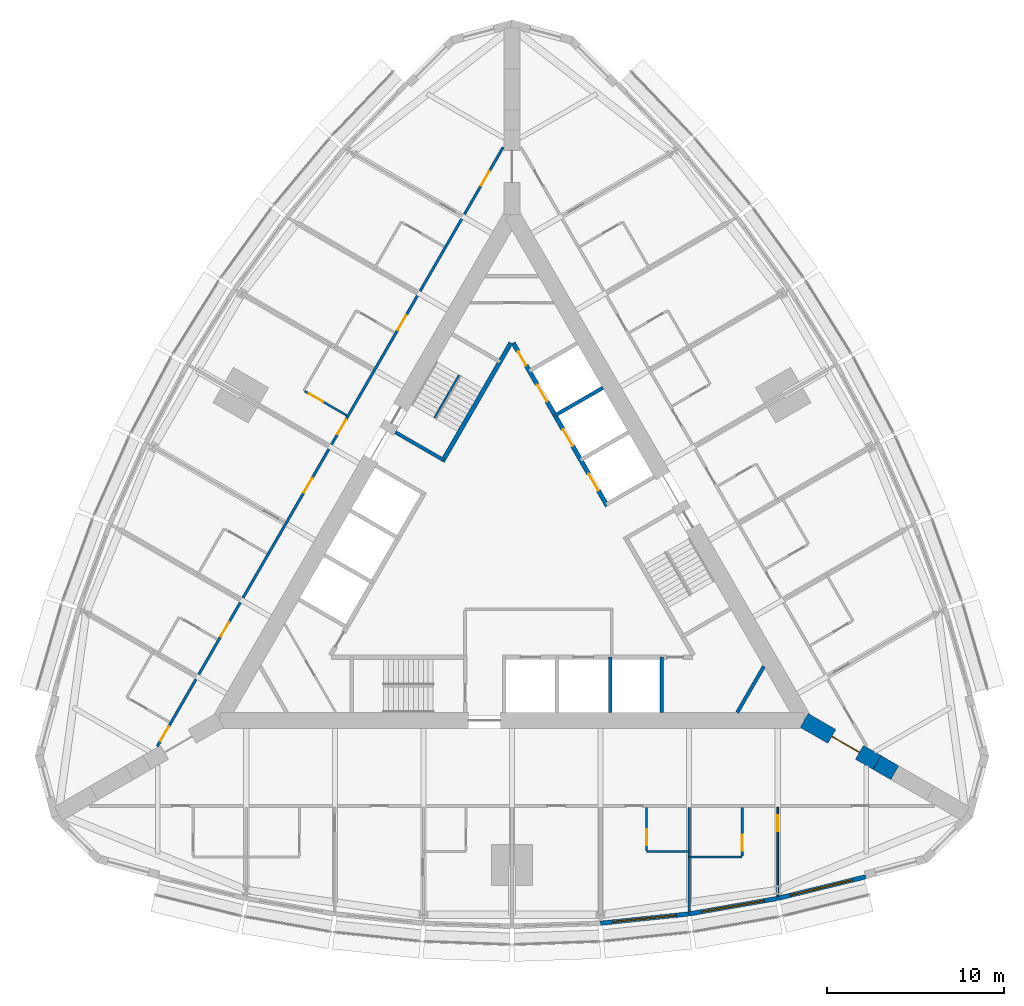
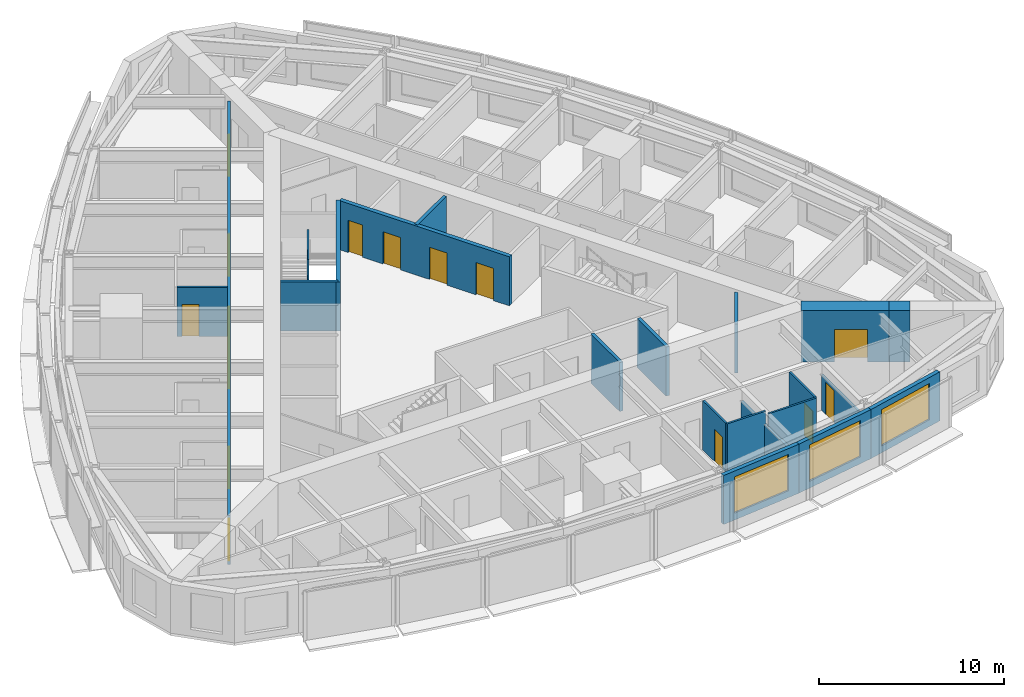
# One storey, part 10 of 14: 21 walls, 15 doors, 3 windows, 18 openings.
"""IFC4 building model written with IfcOpenShell, lengths in metres."""

from ifc_helpers import new_model, si_unit, direction, frame, frame_2d, origin, place, context, subcontext, project, spatial, rectangle, extrude, material, layer, layer_set, type_object, element, fill, save


model = new_model("IFC4")

# Units and contexts
model_context = context("Model", 3, precision=1e-05, world=origin(), true_north=direction((0.0, 1.0)))
body_context = subcontext(model_context, "Body", "Model", "MODEL_VIEW")
ifc_project = project(units=[si_unit("LENGTHUNIT", "METRE"), si_unit("AREAUNIT", "SQUARE_METRE"), si_unit("VOLUMEUNIT", "CUBIC_METRE"), si_unit("PLANEANGLEUNIT", "RADIAN"), si_unit("MASSUNIT", "GRAM", prefix="KILO")], contexts=[model_context])

# Site, building, storey
site_placement = place(None, origin())
site = spatial("IfcSite", under=ifc_project, at=site_placement, CompositionType="ELEMENT")
building_placement = place(site_placement, origin())
building = spatial("IfcBuilding", under=site, at=building_placement, Name="Trikona Tower", CompositionType="ELEMENT")
storey_placement = place(building_placement, frame((0.0, 0.0, 138.5)))
storey = spatial("IfcBuildingStorey", under=building, at=storey_placement, Name="L36", CompositionType="ELEMENT", Elevation=138.5)

# Wall
ifc_material_1 = material(Name="Metal stud and cement board", Category="gypsum")
ifc_layer_1 = layer(ifc_material_1, 0.1201171875)
ifc_layer_set_1 = layer_set([ifc_layer_1], Name="Bathroom wall 120")
wall_type_1 = type_object("IfcWallType", Name="Bathroom wall 120", PredefinedType="PLUMBINGWALL", material=ifc_layer_set_1)
wall_1_placement = place(storey_placement, frame((7.60009765625, -16.92626953125, 0.0), z_axis=(0.0, 0.0, 1.0), x_axis=(1.0, 0.0, 0.0)))
element("IfcWall", 1, at=wall_1_placement, inside=storey, type_object=wall_type_1, Name="Bathroom wall 3603", PredefinedType="PLUMBINGWALL", context=body_context, shape_type="SweptSolid", body=[
    extrude(rectangle(XDim=2.39990234375, YDim=0.1201171875, at=frame_2d((1.199951171875, 0.0))), origin(), (0.0, 0.0, 1.0), 3.235107421875),
])

# Wall, opening, door
wall_2_placement = place(storey_placement, frame((7.60009765625, -14.42626953125, 0.0), z_axis=(0.0, 0.0, 1.0), x_axis=(0.0, -1.0, 0.0)))
wall_2 = element("IfcWall", 2, at=wall_2_placement, inside=storey, type_object=wall_type_1, Name="Bathroom wall 3603", PredefinedType="PLUMBINGWALL", context=body_context, shape_type="SweptSolid", body=[
    extrude(rectangle(XDim=2.43994140625, YDim=0.1201171875, at=frame_2d((1.219970703125, 0.0))), origin(), (0.0, 0.0, 1.0), 3.235107421875),
])
opening_1_placement = place(wall_2_placement, frame((1.25, 0.0, 0.0)))
opening_1 = element("IfcOpeningElement", 3, at=opening_1_placement, cuts=wall_2, Name="Opening D2", PredefinedType="OPENING", context=body_context, shape_type="SweptSolid", body=[
    extrude(rectangle(XDim=0.89990234375, YDim=2.1298828125, at=frame_2d((0.449951171875, 1.06494140625))), frame((0.0, 0.070068359375, 0.0), z_axis=(0.0, -1.0, 0.0), x_axis=(1.0, 0.0, 0.0)), (0.0, 0.0, 1.0), 0.14013671875),
])
ifc_material_2 = material(Name="Steel door frame with solid-core timber leaf", Category="steel")
door_type_1 = type_object("IfcDoorType", Name="Bathroom door 900x2130", OperationType="SLIDING_TO_LEFT", PredefinedType="DOOR", material=ifc_material_2)
door_1_placement = place(opening_1_placement, origin())
door_1 = element("IfcDoor", 4, at=door_1_placement, inside=storey, type_object=door_type_1, Name="Bathroom door 3603", OperationType="SLIDING_TO_LEFT", OverallHeight=2.1298828125, OverallWidth=0.89990234375, PredefinedType="DOOR", context=body_context, shape_type="SweptSolid", body=[
    extrude(rectangle(XDim=0.89990234375, YDim=2.1298828125, at=frame_2d((0.449951171875, 1.06494140625))), frame((0.0, 0.02490234375, 0.0), z_axis=(0.0, -1.0, 0.0), x_axis=(1.0, 0.0, 0.0)), (0.0, 0.0, 1.0), 0.050048828125),
])
fill(opening_1, door_1)

# Wall
wall_3_placement = place(storey_placement, frame((10.0, -17.226318359375, 0.0), z_axis=(0.0, 0.0, 1.0), x_axis=(1.0, 0.0, 0.0)))
element("IfcWall", 5, at=wall_3_placement, inside=storey, type_object=wall_type_1, Name="Bathroom wall 3604.1", PredefinedType="PLUMBINGWALL", context=body_context, shape_type="SweptSolid", body=[
    extrude(rectangle(XDim=3.0, YDim=0.1201171875, at=frame_2d((1.5, 0.0))), origin(), (0.0, 0.0, 1.0), 3.235107421875),
])

# Wall, opening, door
wall_4_placement = place(storey_placement, frame((13.0, -14.42626953125, 0.0), z_axis=(0.0, 0.0, 1.0), x_axis=(0.0, -1.0, 0.0)))
wall_4 = element("IfcWall", 6, at=wall_4_placement, inside=storey, type_object=wall_type_1, Name="Bathroom wall 3604.1", PredefinedType="PLUMBINGWALL", context=body_context, shape_type="SweptSolid", body=[
    extrude(rectangle(XDim=2.739990234375, YDim=0.1201171875, at=frame_2d((1.3701171875, 0.0))), origin(), (0.0, 0.0, 1.0), 3.235107421875),
])
opening_2_placement = place(wall_4_placement, frame((1.550048828125, 0.0, 0.0)))
opening_2 = element("IfcOpeningElement", 7, at=opening_2_placement, cuts=wall_4, Name="Opening D2", PredefinedType="OPENING", context=body_context, shape_type="SweptSolid", body=[
    extrude(rectangle(XDim=0.89990234375, YDim=2.1298828125, at=frame_2d((0.449951171875, 1.06494140625))), frame((0.0, 0.070068359375, 0.0), z_axis=(0.0, -1.0, 0.0), x_axis=(1.0, 0.0, 0.0)), (0.0, 0.0, 1.0), 0.14013671875),
])
door_2_placement = place(opening_2_placement, origin())
door_2 = element("IfcDoor", 8, at=door_2_placement, inside=storey, type_object=door_type_1, Name="Bathroom door 3604.1", OperationType="SLIDING_TO_LEFT", OverallHeight=2.1298828125, OverallWidth=0.89990234375, PredefinedType="DOOR", context=body_context, shape_type="SweptSolid", body=[
    extrude(rectangle(XDim=0.89990234375, YDim=2.1298828125, at=frame_2d((0.449951171875, 1.06494140625))), frame((0.0, 0.02490234375, 0.0), z_axis=(0.0, -1.0, 0.0), x_axis=(1.0, 0.0, 0.0)), (0.0, 0.0, 1.0), 0.050048828125),
])
fill(opening_2, door_2)

wall_5_placement = place(storey_placement, frame((-9.32861328125, 7.6953125, 0.0), z_axis=(0.0, 0.0, 1.0), x_axis=(-0.866035715982, 0.499982138324, 0.0)))
wall_5 = element("IfcWall", 9, at=wall_5_placement, inside=storey, type_object=wall_type_1, Name="Bathroom wall 3613", PredefinedType="PLUMBINGWALL", context=body_context, shape_type="SweptSolid", body=[
    extrude(rectangle(XDim=2.73974609375, YDim=0.1201171875, at=frame_2d((1.369873046875, 0.0))), origin(), (0.0, 0.0, 1.0), 3.235107421875),
])
opening_3_placement = place(wall_5_placement, frame((1.550048828125, 0.0, 0.0)))
opening_3 = element("IfcOpeningElement", 10, at=opening_3_placement, cuts=wall_5, Name="Opening D2", PredefinedType="OPENING", context=body_context, shape_type="SweptSolid", body=[
    extrude(rectangle(XDim=0.89990234375, YDim=2.1298828125, at=frame_2d((0.449951171875, 1.06494140625))), frame((0.0, 0.070068359375, 0.0), z_axis=(0.0, -1.0, 0.0), x_axis=(1.0, 0.0, 0.0)), (0.0, 0.0, 1.0), 0.14013671875),
])
door_3_placement = place(opening_3_placement, origin())
door_3 = element("IfcDoor", 11, at=door_3_placement, inside=storey, type_object=door_type_1, Name="Bathroom door 3613", OperationType="SLIDING_TO_LEFT", OverallHeight=2.1298828125, OverallWidth=0.89990234375, PredefinedType="DOOR", context=body_context, shape_type="SweptSolid", body=[
    extrude(rectangle(XDim=0.89990234375, YDim=2.1298828125, at=frame_2d((0.449951171875, 1.06494140625))), frame((0.0, 0.02490234375, 0.0), z_axis=(0.0, -1.0, 0.0), x_axis=(1.0, 0.0, 0.0)), (0.0, 0.0, 1.0), 0.050048828125),
])
fill(opening_3, door_3)

ifc_material_3 = material(Name="Concrete f'c 10000 psi", Category="concrete")
ifc_layer_2 = layer(ifc_material_3, 0.89990234375)
ifc_layer_set_2 = layer_set([ifc_layer_2], Name="Buttress wall 900")
wall_type_2 = type_object("IfcWallType", Name="Buttress wall 900", PredefinedType="SHEAR", material=ifc_layer_set_2)
wall_6_placement = place(storey_placement, frame((16.5, -9.5263671875, 0.0), z_axis=(0.0, 0.0, 1.0), x_axis=(0.866031398331, -0.499989616998, 0.0)))
wall_6 = element("IfcWall", 12, at=wall_6_placement, inside=storey, type_object=wall_type_2, Name="Buttress wall 1", PredefinedType="SHEAR", context=body_context, shape_type="SweptSolid", body=[
    extrude(rectangle(XDim=4.74609375, YDim=0.89990234375, at=frame_2d((2.373046875, 0.0))), origin(), (0.0, 0.0, 1.0), 3.39990234375),
])
opening_4_placement = place(wall_6_placement, frame((1.800048828125, 0.0, 0.0)))
opening_4 = element("IfcOpeningElement", 13, at=opening_4_placement, cuts=wall_6, Name="Opening D10", PredefinedType="OPENING", context=body_context, shape_type="SweptSolid", body=[
    extrude(rectangle(XDim=1.800048828125, YDim=2.1298828125, at=frame_2d((0.89990234375, 1.06494140625))), frame((0.0, 0.4599609375, 0.0), z_axis=(0.0, -1.0, 0.0), x_axis=(1.0, 0.0, 0.0)), (0.0, 0.0, 1.0), 0.919921875),
])
ifc_material_4 = material(Name="Hollow metal door and frame", Category="steel")
door_type_2 = type_object("IfcDoorType", Name="Cross-corridor door pair 1800x2130", OperationType="DOUBLE_DOOR_DOUBLE_SWING", PredefinedType="DOOR", material=ifc_material_4)
door_4_placement = place(opening_4_placement, origin())
door_4 = element("IfcDoor", 14, at=door_4_placement, inside=storey, type_object=door_type_2, Name="Cross-corridor door 1", OperationType="DOUBLE_DOOR_DOUBLE_SWING", OverallHeight=2.1298828125, OverallWidth=1.800048828125, PredefinedType="DOOR", context=body_context, shape_type="SweptSolid", body=[
    extrude(rectangle(XDim=1.800048828125, YDim=2.1298828125, at=frame_2d((0.89990234375, 1.06494140625))), frame((0.0, 0.02490234375, 0.0), z_axis=(0.0, -1.0, 0.0), x_axis=(1.0, 0.0, 0.0)), (0.0, 0.0, 1.0), 0.050048828125),
])
fill(opening_4, door_4)

# Wall
wall_7_placement = place(storey_placement, frame((20.6103515625, -11.8994140625, 0.0), z_axis=(0.0, 0.0, 1.0), x_axis=(0.866009537788, -0.500027479704, 0.0)))
element("IfcWall", 15, at=wall_7_placement, inside=storey, type_object=wall_type_2, Name="Buttress wall 1 part 2", PredefinedType="SHEAR", context=body_context, shape_type="SweptSolid", body=[
    extrude(rectangle(XDim=1.15478515625, YDim=0.89990234375, at=frame_2d((0.577392578125, 0.0))), origin(), (0.0, 0.0, 1.0), 3.39990234375),
])

# Wall, openings, doors
ifc_material_5 = material(Name="Metal stud and gypsum board, 1-hour", Category="gypsum")
ifc_layer_3 = layer(ifc_material_5, 0.14990234375)
ifc_layer_set_3 = layer_set([ifc_layer_3], Name="Corridor wall 150")
wall_type_3 = type_object("IfcWallType", Name="Corridor wall 150", PredefinedType="PARTITIONING", material=ifc_layer_set_3)
wall_8_placement = place(storey_placement, frame((-0.5, 22.83642578125, 0.0), z_axis=(0.0, 0.0, 1.0), x_axis=(-0.500001677587, -0.866024435227, 0.0)))
wall_8 = element("IfcWall", 16, at=wall_8_placement, inside=storey, type_object=wall_type_3, Name="Corridor wall L36-3", PredefinedType="PARTITIONING", context=body_context, shape_type="SweptSolid", body=[
    extrude(rectangle(XDim=39.053955078125, YDim=0.14990234375, at=frame_2d((19.52685546875, 0.0))), origin(), (0.0, 0.0, 1.0), 3.235107421875),
])
opening_5_placement = place(wall_8_placement, frame((1.558349609375, 0.0, 0.0)))
opening_5 = element("IfcOpeningElement", 17, at=opening_5_placement, cuts=wall_8, Name="Opening D1", PredefinedType="OPENING", context=body_context, shape_type="SweptSolid", body=[
    extrude(rectangle(XDim=0.949951171875, YDim=2.1298828125, at=frame_2d((0.47509765625, 1.06494140625))), frame((0.0, 0.0849609375, 0.0), z_axis=(0.0, -1.0, 0.0), x_axis=(1.0, 0.0, 0.0)), (0.0, 0.0, 1.0), 0.169921875),
])
opening_6_placement = place(wall_8_placement, frame((10.951904296875, 0.0, 0.0)))
opening_6 = element("IfcOpeningElement", 18, at=opening_6_placement, cuts=wall_8, Name="Opening D1", PredefinedType="OPENING", context=body_context, shape_type="SweptSolid", body=[
    extrude(rectangle(XDim=0.949951171875, YDim=2.1298828125, at=frame_2d((0.47509765625, 1.06494140625))), frame((0.0, 0.0849609375, 0.0), z_axis=(0.0, -1.0, 0.0), x_axis=(1.0, 0.0, 0.0)), (0.0, 0.0, 1.0), 0.169921875),
])
opening_7_placement = place(wall_8_placement, frame((17.751953125, 0.0, 0.0)))
opening_7 = element("IfcOpeningElement", 19, at=opening_7_placement, cuts=wall_8, Name="Opening D1", PredefinedType="OPENING", context=body_context, shape_type="SweptSolid", body=[
    extrude(rectangle(XDim=0.949951171875, YDim=2.1298828125, at=frame_2d((0.47509765625, 1.06494140625))), frame((0.0, 0.0849609375, 0.0), z_axis=(0.0, -1.0, 0.0), x_axis=(1.0, 0.0, 0.0)), (0.0, 0.0, 1.0), 0.169921875),
])
opening_8_placement = place(wall_8_placement, frame((21.552001953125, 0.0, 0.0)))
opening_8 = element("IfcOpeningElement", 20, at=opening_8_placement, cuts=wall_8, Name="Opening D1", PredefinedType="OPENING", context=body_context, shape_type="SweptSolid", body=[
    extrude(rectangle(XDim=0.949951171875, YDim=2.1298828125, at=frame_2d((0.47509765625, 1.06494140625))), frame((0.0, 0.0849609375, 0.0), z_axis=(0.0, -1.0, 0.0), x_axis=(1.0, 0.0, 0.0)), (0.0, 0.0, 1.0), 0.169921875),
])
opening_9_placement = place(wall_8_placement, frame((30.951904296875, 0.0, 0.0)))
opening_9 = element("IfcOpeningElement", 21, at=opening_9_placement, cuts=wall_8, Name="Opening D1", PredefinedType="OPENING", context=body_context, shape_type="SweptSolid", body=[
    extrude(rectangle(XDim=0.949951171875, YDim=2.1298828125, at=frame_2d((0.47509765625, 1.06494140625))), frame((0.0, 0.0849609375, 0.0), z_axis=(0.0, -1.0, 0.0), x_axis=(1.0, 0.0, 0.0)), (0.0, 0.0, 1.0), 0.169921875),
])
opening_10_placement = place(wall_8_placement, frame((37.751953125, 0.0, 0.0)))
opening_10 = element("IfcOpeningElement", 22, at=opening_10_placement, cuts=wall_8, Name="Opening D1", PredefinedType="OPENING", context=body_context, shape_type="SweptSolid", body=[
    extrude(rectangle(XDim=0.949951171875, YDim=2.1298828125, at=frame_2d((0.47509765625, 1.06494140625))), frame((0.0, 0.0849609375, 0.0), z_axis=(0.0, -1.0, 0.0), x_axis=(1.0, 0.0, 0.0)), (0.0, 0.0, 1.0), 0.169921875),
])
ifc_material_6 = material(Name="Steel door frame with solid-core timber leaf", Category="steel")
door_type_3 = type_object("IfcDoorType", Name="Guest room door 950x2130", OperationType="SINGLE_SWING_LEFT", PredefinedType="DOOR", material=ifc_material_6)
door_5_placement = place(opening_5_placement, origin())
door_5 = element("IfcDoor", 23, at=door_5_placement, inside=storey, type_object=door_type_3, Name="Room door 3611", OperationType="SINGLE_SWING_LEFT", OverallHeight=2.1298828125, OverallWidth=0.949951171875, PredefinedType="DOOR", context=body_context, shape_type="SweptSolid", body=[
    extrude(rectangle(XDim=0.949951171875, YDim=2.1298828125, at=frame_2d((0.47509765625, 1.06494140625))), frame((0.0, 0.02490234375, 0.0), z_axis=(0.0, -1.0, 0.0), x_axis=(1.0, 0.0, 0.0)), (0.0, 0.0, 1.0), 0.050048828125),
])
fill(opening_5, door_5)
door_6_placement = place(opening_6_placement, origin())
door_6 = element("IfcDoor", 24, at=door_6_placement, inside=storey, type_object=door_type_3, Name="Room door 3612", OperationType="SINGLE_SWING_RIGHT", OverallHeight=2.1298828125, OverallWidth=0.949951171875, PredefinedType="DOOR", context=body_context, shape_type="SweptSolid", body=[
    extrude(rectangle(XDim=0.949951171875, YDim=2.1298828125, at=frame_2d((0.47509765625, 1.06494140625))), frame((0.0, 0.02490234375, 0.0), z_axis=(0.0, -1.0, 0.0), x_axis=(1.0, 0.0, 0.0)), (0.0, 0.0, 1.0), 0.050048828125),
])
fill(opening_6, door_6)
door_7_placement = place(opening_7_placement, origin())
door_7 = element("IfcDoor", 25, at=door_7_placement, inside=storey, type_object=door_type_3, Name="Room door 3613", OperationType="SINGLE_SWING_LEFT", OverallHeight=2.1298828125, OverallWidth=0.949951171875, PredefinedType="DOOR", context=body_context, shape_type="SweptSolid", body=[
    extrude(rectangle(XDim=0.949951171875, YDim=2.1298828125, at=frame_2d((0.47509765625, 1.06494140625))), frame((0.0, 0.02490234375, 0.0), z_axis=(0.0, -1.0, 0.0), x_axis=(1.0, 0.0, 0.0)), (0.0, 0.0, 1.0), 0.050048828125),
])
fill(opening_7, door_7)
door_8_placement = place(opening_8_placement, origin())
door_8 = element("IfcDoor", 26, at=door_8_placement, inside=storey, type_object=door_type_3, Name="Room door 3614", OperationType="SINGLE_SWING_RIGHT", OverallHeight=2.1298828125, OverallWidth=0.949951171875, PredefinedType="DOOR", context=body_context, shape_type="SweptSolid", body=[
    extrude(rectangle(XDim=0.949951171875, YDim=2.1298828125, at=frame_2d((0.47509765625, 1.06494140625))), frame((0.0, 0.02490234375, 0.0), z_axis=(0.0, -1.0, 0.0), x_axis=(1.0, 0.0, 0.0)), (0.0, 0.0, 1.0), 0.050048828125),
])
fill(opening_8, door_8)
door_9_placement = place(opening_9_placement, origin())
door_9 = element("IfcDoor", 27, at=door_9_placement, inside=storey, type_object=door_type_3, Name="Room door 3615", OperationType="SINGLE_SWING_LEFT", OverallHeight=2.1298828125, OverallWidth=0.949951171875, PredefinedType="DOOR", context=body_context, shape_type="SweptSolid", body=[
    extrude(rectangle(XDim=0.949951171875, YDim=2.1298828125, at=frame_2d((0.47509765625, 1.06494140625))), frame((0.0, 0.02490234375, 0.0), z_axis=(0.0, -1.0, 0.0), x_axis=(1.0, 0.0, 0.0)), (0.0, 0.0, 1.0), 0.050048828125),
])
fill(opening_9, door_9)
door_10_placement = place(opening_10_placement, origin())
door_10 = element("IfcDoor", 28, at=door_10_placement, inside=storey, type_object=door_type_3, Name="Room door 3616", OperationType="SINGLE_SWING_RIGHT", OverallHeight=2.1298828125, OverallWidth=0.949951171875, PredefinedType="DOOR", context=body_context, shape_type="SweptSolid", body=[
    extrude(rectangle(XDim=0.949951171875, YDim=2.1298828125, at=frame_2d((0.47509765625, 1.06494140625))), frame((0.0, 0.02490234375, 0.0), z_axis=(0.0, -1.0, 0.0), x_axis=(1.0, 0.0, 0.0)), (0.0, 0.0, 1.0), 0.050048828125),
])
fill(opening_10, door_10)

ifc_material_7 = material(Name="Concrete f'c 8000 psi", Category="concrete")
ifc_layer_4 = layer(ifc_material_7, 0.25)
ifc_layer_set_4 = layer_set([ifc_layer_4], Name="Hub wall 250")
wall_type_4 = type_object("IfcWallType", Name="Hub wall 250", PredefinedType="SOLIDWALL", material=ifc_layer_set_4)
wall_9_placement = place(storey_placement, frame((5.37890625, 2.5859375, 0.0), z_axis=(0.0, 0.0, 1.0), x_axis=(-0.500001375892, 0.866024609411, 0.0)))
wall_9 = element("IfcWall", 29, at=wall_9_placement, inside=storey, type_object=wall_type_4, Name="Lift lobby wall B2", PredefinedType="SOLIDWALL", context=body_context, shape_type="SweptSolid", body=[
    extrude(rectangle(XDim=10.6328125, YDim=0.25, at=frame_2d((5.31640625, 0.0))), origin(), (0.0, 0.0, 1.0), 3.235107421875),
])
opening_11_placement = place(wall_9_placement, frame((9.1640625, 0.0, 0.0)))
opening_11 = element("IfcOpeningElement", 30, at=opening_11_placement, cuts=wall_9, Name="Opening D14", PredefinedType="OPENING", context=body_context, shape_type="SweptSolid", body=[
    extrude(rectangle(XDim=0.89990234375, YDim=2.1298828125, at=frame_2d((0.449951171875, 1.06494140625))), frame((0.0, 0.135009765625, 0.0), z_axis=(0.0, -1.0, 0.0), x_axis=(1.0, 0.0, 0.0)), (0.0, 0.0, 1.0), 0.27001953125),
])
opening_12_placement = place(wall_9_placement, frame((1.0, 0.0, 0.0)))
opening_12 = element("IfcOpeningElement", 31, at=opening_12_placement, cuts=wall_9, Name="Opening LD", PredefinedType="OPENING", context=body_context, shape_type="SweptSolid", body=[
    extrude(rectangle(XDim=1.10009765625, YDim=2.1298828125, at=frame_2d((0.550048828125, 1.06494140625))), frame((0.0, 0.135009765625, 0.0), z_axis=(0.0, -1.0, 0.0), x_axis=(1.0, 0.0, 0.0)), (0.0, 0.0, 1.0), 0.27001953125),
])
opening_13_placement = place(wall_9_placement, frame((3.89990234375, 0.0, 0.0)))
opening_13 = element("IfcOpeningElement", 32, at=opening_13_placement, cuts=wall_9, Name="Opening LD", PredefinedType="OPENING", context=body_context, shape_type="SweptSolid", body=[
    extrude(rectangle(XDim=1.10009765625, YDim=2.1298828125, at=frame_2d((0.550048828125, 1.06494140625))), frame((0.0, 0.135009765625, 0.0), z_axis=(0.0, -1.0, 0.0), x_axis=(1.0, 0.0, 0.0)), (0.0, 0.0, 1.0), 0.27001953125),
])
opening_14_placement = place(wall_9_placement, frame((6.800048828125, 0.0, 0.0)))
opening_14 = element("IfcOpeningElement", 33, at=opening_14_placement, cuts=wall_9, Name="Opening LD", PredefinedType="OPENING", context=body_context, shape_type="SweptSolid", body=[
    extrude(rectangle(XDim=1.10009765625, YDim=2.1298828125, at=frame_2d((0.550048828125, 1.06494140625))), frame((0.0, 0.135009765625, 0.0), z_axis=(0.0, -1.0, 0.0), x_axis=(1.0, 0.0, 0.0)), (0.0, 0.0, 1.0), 0.27001953125),
])
ifc_material_8 = material(Name="Stainless steel lift landing door", Category="steel")
door_type_4 = type_object("IfcDoorType", Name="Lift landing door 1100x2130", OperationType="DOUBLE_DOOR_SLIDING", PredefinedType="USERDEFINED", material=ifc_material_8)
door_11_placement = place(opening_12_placement, origin())
door_11 = element("IfcDoor", 34, at=door_11_placement, inside=storey, type_object=door_type_4, Name="Lift landing door L2-1", ObjectType="LIFT LANDING DOOR", OperationType="DOUBLE_DOOR_SLIDING", OverallHeight=2.1298828125, OverallWidth=1.10009765625, PredefinedType="USERDEFINED", context=body_context, shape_type="SweptSolid", body=[
    extrude(rectangle(XDim=1.10009765625, YDim=2.1298828125, at=frame_2d((0.550048828125, 1.06494140625))), frame((0.0, 0.02490234375, 0.0), z_axis=(0.0, -1.0, 0.0), x_axis=(1.0, 0.0, 0.0)), (0.0, 0.0, 1.0), 0.050048828125),
])
fill(opening_12, door_11)
door_12_placement = place(opening_13_placement, origin())
door_12 = element("IfcDoor", 35, at=door_12_placement, inside=storey, type_object=door_type_4, Name="Lift landing door L2-2", ObjectType="LIFT LANDING DOOR", OperationType="DOUBLE_DOOR_SLIDING", OverallHeight=2.1298828125, OverallWidth=1.10009765625, PredefinedType="USERDEFINED", context=body_context, shape_type="SweptSolid", body=[
    extrude(rectangle(XDim=1.10009765625, YDim=2.1298828125, at=frame_2d((0.550048828125, 1.06494140625))), frame((0.0, 0.02490234375, 0.0), z_axis=(0.0, -1.0, 0.0), x_axis=(1.0, 0.0, 0.0)), (0.0, 0.0, 1.0), 0.050048828125),
])
fill(opening_13, door_12)
door_13_placement = place(opening_14_placement, origin())
door_13 = element("IfcDoor", 36, at=door_13_placement, inside=storey, type_object=door_type_4, Name="Lift landing door L2-3", ObjectType="LIFT LANDING DOOR", OperationType="DOUBLE_DOOR_SLIDING", OverallHeight=2.1298828125, OverallWidth=1.10009765625, PredefinedType="USERDEFINED", context=body_context, shape_type="SweptSolid", body=[
    extrude(rectangle(XDim=1.10009765625, YDim=2.1298828125, at=frame_2d((0.550048828125, 1.06494140625))), frame((0.0, 0.02490234375, 0.0), z_axis=(0.0, -1.0, 0.0), x_axis=(1.0, 0.0, 0.0)), (0.0, 0.0, 1.0), 0.050048828125),
])
fill(opening_14, door_13)
ifc_material_9 = material(Name="Hollow metal door and frame", Category="steel")
door_type_5 = type_object("IfcDoorType", Name="Service room door 900x2130", OperationType="SINGLE_SWING_LEFT", PredefinedType="DOOR", material=ifc_material_9)
door_14_placement = place(opening_11_placement, origin())
door_14 = element("IfcDoor", 37, at=door_14_placement, inside=storey, type_object=door_type_5, Name="Door Housekeeping store HKS", OperationType="SINGLE_SWING_RIGHT", OverallHeight=2.1298828125, OverallWidth=0.89990234375, PredefinedType="DOOR", context=body_context, shape_type="SweptSolid", body=[
    extrude(rectangle(XDim=0.89990234375, YDim=2.1298828125, at=frame_2d((0.449951171875, 1.06494140625))), frame((0.0, 0.02490234375, 0.0), z_axis=(0.0, -1.0, 0.0), x_axis=(1.0, 0.0, 0.0)), (0.0, 0.0, 1.0), 0.050048828125),
])
fill(opening_11, door_14)

# Wall
wall_10_placement = place(storey_placement, frame((-0.0625, 11.794189453125, 0.0), z_axis=(0.0, 0.0, 1.0), x_axis=(-0.500006680225, -0.86602154692, 0.0)))
element("IfcWall", 38, at=wall_10_placement, inside=storey, type_object=wall_type_4, Name="Lift lobby wall C1", PredefinedType="SOLIDWALL", context=body_context, shape_type="SweptSolid", body=[
    extrude(rectangle(XDim=7.73291015625, YDim=0.25, at=frame_2d((3.866455078125, 0.0))), origin(), (0.0, 0.0, 1.0), 3.235107421875),
])

# Wall, opening, window
ifc_material_10 = material(Name="Insulated precast concrete spandrel panel", Category="concrete")
ifc_layer_5 = layer(ifc_material_10, 0.25)
ifc_layer_set_5 = layer_set([ifc_layer_5], Name="Inner skin wall 250")
wall_type_5 = type_object("IfcWallType", Name="Inner skin wall 250", PredefinedType="STANDARD", material=ifc_layer_set_5)
wall_11_placement = place(storey_placement, frame((4.98681640625, -20.975830078125, 0.0), z_axis=(0.0, 0.0, 1.0), x_axis=(0.994534683851, 0.104406717299, 0.0)))
wall_11 = element("IfcWall", 39, at=wall_11_placement, inside=storey, type_object=wall_type_5, Name="External wall L36-05", PredefinedType="STANDARD", context=body_context, shape_type="SweptSolid", body=[
    extrude(rectangle(XDim=5.027587890625, YDim=0.25, at=frame_2d((2.513671875, 0.0))), origin(), (0.0, 0.0, 1.0), 3.235107421875),
])
opening_15_placement = place(wall_11_placement, frame((0.713623046875, 0.0, 0.449951171875)))
opening_15 = element("IfcOpeningElement", 40, at=opening_15_placement, cuts=wall_11, Name="Opening W3624", PredefinedType="OPENING", context=body_context, shape_type="SweptSolid", body=[
    extrude(rectangle(XDim=3.60009765625, YDim=2.39990234375, at=frame_2d((1.800048828125, 1.199951171875))), frame((0.0, 0.135009765625, 0.0), z_axis=(0.0, -1.0, 0.0), x_axis=(1.0, 0.0, 0.0)), (0.0, 0.0, 1.0), 0.27001953125),
])
ifc_material_11 = material(Name="Aluminium-framed double glazing", Category="aluminium")
window_type = type_object("IfcWindowType", Name="Window 3600x2400", PartitioningType="SINGLE_PANEL", PredefinedType="WINDOW", material=ifc_material_11)
window_1_placement = place(opening_15_placement, origin())
window_1 = element("IfcWindow", 41, at=window_1_placement, inside=storey, type_object=window_type, Name="Window 3603", OverallHeight=2.39990234375, OverallWidth=3.60009765625, PartitioningType="SINGLE_PANEL", PredefinedType="WINDOW", context=body_context, shape_type="SweptSolid", body=[
    extrude(rectangle(XDim=3.60009765625, YDim=2.39990234375, at=frame_2d((1.800048828125, 1.199951171875))), frame((0.0, 0.030029296875, 0.0), z_axis=(0.0, -1.0, 0.0), x_axis=(1.0, 0.0, 0.0)), (0.0, 0.0, 1.0), 0.06005859375),
])
fill(opening_15, window_1)

wall_12_placement = place(storey_placement, frame((9.978515625, -20.4521484375, 0.0), z_axis=(0.0, 0.0, 1.0), x_axis=(0.985030467156, 0.172380331752, 0.0)))
wall_12 = element("IfcWall", 42, at=wall_12_placement, inside=storey, type_object=wall_type_5, Name="External wall L36-06", PredefinedType="STANDARD", context=body_context, shape_type="SweptSolid", body=[
    extrude(rectangle(XDim=5.075927734375, YDim=0.25, at=frame_2d((2.5380859375, 0.0))), origin(), (0.0, 0.0, 1.0), 3.235107421875),
])
opening_16_placement = place(wall_12_placement, frame((0.738037109375, 0.0, 0.449951171875)))
opening_16 = element("IfcOpeningElement", 43, at=opening_16_placement, cuts=wall_12, Name="Opening W3624", PredefinedType="OPENING", context=body_context, shape_type="SweptSolid", body=[
    extrude(rectangle(XDim=3.60009765625, YDim=2.39990234375, at=frame_2d((1.800048828125, 1.199951171875))), frame((0.0, 0.135009765625, 0.0), z_axis=(0.0, -1.0, 0.0), x_axis=(1.0, 0.0, 0.0)), (0.0, 0.0, 1.0), 0.27001953125),
])
window_2_placement = place(opening_16_placement, origin())
window_2 = element("IfcWindow", 44, at=window_2_placement, inside=storey, type_object=window_type, Name="Window 3604.1", OverallHeight=2.39990234375, OverallWidth=3.60009765625, PartitioningType="SINGLE_PANEL", PredefinedType="WINDOW", context=body_context, shape_type="SweptSolid", body=[
    extrude(rectangle(XDim=3.60009765625, YDim=2.39990234375, at=frame_2d((1.800048828125, 1.199951171875))), frame((0.0, 0.030029296875, 0.0), z_axis=(0.0, -1.0, 0.0), x_axis=(1.0, 0.0, 0.0)), (0.0, 0.0, 1.0), 0.06005859375),
])
fill(opening_16, window_2)

wall_13_placement = place(storey_placement, frame((14.97021484375, -19.578857421875, 0.0), z_axis=(0.0, 0.0, 1.0), x_axis=(0.971270024053, 0.237980126011, 0.0)))
wall_13 = element("IfcWall", 45, at=wall_13_placement, inside=storey, type_object=wall_type_5, Name="External wall L36-07", PredefinedType="STANDARD", context=body_context, shape_type="SweptSolid", body=[
    extrude(rectangle(XDim=5.14794921875, YDim=0.25, at=frame_2d((2.573974609375, 0.0))), origin(), (0.0, 0.0, 1.0), 3.235107421875),
])
opening_17_placement = place(wall_13_placement, frame((0.77392578125, 0.0, 0.449951171875)))
opening_17 = element("IfcOpeningElement", 46, at=opening_17_placement, cuts=wall_13, Name="Opening W3624", PredefinedType="OPENING", context=body_context, shape_type="SweptSolid", body=[
    extrude(rectangle(XDim=3.60009765625, YDim=2.39990234375, at=frame_2d((1.800048828125, 1.199951171875))), frame((0.0, 0.135009765625, 0.0), z_axis=(0.0, -1.0, 0.0), x_axis=(1.0, 0.0, 0.0)), (0.0, 0.0, 1.0), 0.27001953125),
])
window_3_placement = place(opening_17_placement, origin())
window_3 = element("IfcWindow", 47, at=window_3_placement, inside=storey, type_object=window_type, Name="Window 3604", OverallHeight=2.39990234375, OverallWidth=3.60009765625, PartitioningType="SINGLE_PANEL", PredefinedType="WINDOW", context=body_context, shape_type="SweptSolid", body=[
    extrude(rectangle(XDim=3.60009765625, YDim=2.39990234375, at=frame_2d((1.800048828125, 1.199951171875))), frame((0.0, 0.030029296875, 0.0), z_axis=(0.0, -1.0, 0.0), x_axis=(1.0, 0.0, 0.0)), (0.0, 0.0, 1.0), 0.06005859375),
])
fill(opening_17, window_3)

# Walls
ifc_material_12 = material(Name="Metal stud and gypsum board, 1-hour acoustic", Category="gypsum")
ifc_layer_6 = layer(ifc_material_12, 0.14990234375)
ifc_layer_set_6 = layer_set([ifc_layer_6], Name="Party wall 150")
wall_type_6 = type_object("IfcWallType", Name="Party wall 150", PredefinedType="PARTITIONING", material=ifc_layer_set_6)
wall_14_placement = place(storey_placement, frame((10.0, -14.42626953125, 0.0), z_axis=(0.0, 0.0, 1.0), x_axis=(0.0, -1.0, 0.0)))
element("IfcWall", 48, at=wall_14_placement, inside=storey, type_object=wall_type_6, Name="Partition L36 F1 u10", PredefinedType="PARTITIONING", context=body_context, shape_type="SweptSolid", body=[
    extrude(rectangle(XDim=5.89501953125, YDim=0.14990234375, at=frame_2d((2.947509765625, 0.0))), origin(), (0.0, 0.0, 1.0), 2.38916015625),
])
ifc_material_13 = material(Name="Concrete f'c 8000 psi", Category="concrete")
ifc_layer_7 = layer(ifc_material_13, 0.199951171875)
ifc_layer_set_7 = layer_set([ifc_layer_7], Name="Shaft wall 200")
wall_type_7 = type_object("IfcWallType", Name="Shaft wall 200", PredefinedType="SOLIDWALL", material=ifc_layer_set_7)
for number, where, z_axis, x_axis, name in (
    (49, (5.550048828125, -5.951416015625, 0.0), (0.0, 0.0, 1.0), (0.0, -1.0, 0.0), "Shaft wall A5"),
    (50, (8.449951171875, -5.951416015625, 0.0), (0.0, 0.0, 1.0), (0.0, -1.0, 0.0), "Shaft wall A6"),
    (51, (2.428955078125, 7.695556640625, 0.0), (0.0, 0.0, 1.0), (0.866022959057, 0.500004234368, 0.0), "Shaft wall B5"),
):
    element("IfcWall", number, at=place(storey_placement, frame(where, z_axis=z_axis, x_axis=x_axis)), inside=storey, type_object=wall_type_7, Name=name, PredefinedType="SOLIDWALL", context=body_context, shape_type="SweptSolid", body=[
        extrude(rectangle(XDim=3.125, YDim=0.199951171875, at=frame_2d((1.5625, 0.0))), origin(), (0.0, 0.0, 1.0), 3.235107421875),
    ])
wall_15_placement = place(storey_placement, frame((14.219482421875, -6.476318359375, 0.0), z_axis=(0.0, 0.0, 1.0), x_axis=(-0.499952404951, -0.866052881055, 0.0)))
element("IfcWall", 52, at=wall_15_placement, inside=storey, type_object=wall_type_7, Name="Riser wall L36-RS1", PredefinedType="SOLIDWALL", context=body_context, shape_type="SweptSolid", body=[
    extrude(rectangle(XDim=3.002197265625, YDim=0.199951171875, at=frame_2d((1.5009765625, 0.0))), origin(), (0.0, 0.0, 1.0), 3.235107421875),
])
ifc_material_14 = material(Name="Concrete f'c 8000 psi", Category="concrete")
ifc_layer_8 = layer(ifc_material_14, 0.199951171875)
ifc_layer_set_8 = layer_set([ifc_layer_8], Name="Shaft wall 200 load-bearing")
wall_type_8 = type_object("IfcWallType", Name="Shaft wall 200 load-bearing", PredefinedType="SOLIDWALL", material=ifc_layer_set_8)
wall_16_placement = place(storey_placement, frame((-3.87890625, 5.18408203125, 0.0), z_axis=(0.0, 0.0, 1.0), x_axis=(-0.866022959057, 0.500004234368, 0.0)))
element("IfcWall", 53, at=wall_16_placement, inside=storey, type_object=wall_type_8, Name="Shaft wall C2", PredefinedType="SOLIDWALL", context=body_context, shape_type="SweptSolid", body=[
    extrude(rectangle(XDim=3.125, YDim=0.199951171875, at=frame_2d((1.5625, 0.0))), origin(), (0.0, 0.0, 1.0), 3.235107421875),
])
ifc_material_15 = material(Name="Concrete f'c 5000 psi", Category="concrete")
ifc_layer_9 = layer(ifc_material_15, 0.10009765625)
ifc_layer_set_9 = layer_set([ifc_layer_9], Name="Stair spine wall 100")
wall_type_9 = type_object("IfcWallType", Name="Stair spine wall 100", PredefinedType="SOLIDWALL", material=ifc_layer_set_9)
wall_17_placement = place(storey_placement, frame((-2.98779296875, 9.9775390625, 0.0), z_axis=(0.0, 0.0, 1.0), x_axis=(-0.499992232847, -0.866029888106, 0.0)))
element("IfcWall", 54, at=wall_17_placement, inside=storey, type_object=wall_type_9, Name="Stair C spine wall L36", PredefinedType="SOLIDWALL", context=body_context, shape_type="SweptSolid", body=[
    extrude(rectangle(XDim=2.7939453125, YDim=0.10009765625, at=frame_2d((1.39697265625, 0.0))), origin(), (0.0, 0.0, 1.0), 3.39990234375),
])

# Wall, opening, door
ifc_material_16 = material(Name="Metal stud and gypsum board, acoustic", Category="gypsum")
ifc_layer_10 = layer(ifc_material_16, 0.10009765625)
ifc_layer_set_10 = layer_set([ifc_layer_10], Name="Suite partition 100")
wall_type_10 = type_object("IfcWallType", Name="Suite partition 100", PredefinedType="PARTITIONING", material=ifc_layer_set_10)
wall_18_placement = place(storey_placement, frame((15.0, -14.42626953125, 0.0), z_axis=(0.0, 0.0, 1.0), x_axis=(0.0, -1.0, 0.0)))
wall_18 = element("IfcWall", 55, at=wall_18_placement, inside=storey, type_object=wall_type_10, Name="Suite partition L36 F1 u15", PredefinedType="PARTITIONING", context=body_context, shape_type="SweptSolid", body=[
    extrude(rectangle(XDim=5.0166015625, YDim=0.10009765625, at=frame_2d((2.50830078125, 0.0))), origin(), (0.0, 0.0, 1.0), 2.38916015625),
])
opening_18_placement = place(wall_18_placement, frame((0.449951171875, 0.0, 0.0)))
opening_18 = element("IfcOpeningElement", 56, at=opening_18_placement, cuts=wall_18, Name="Opening D13", PredefinedType="OPENING", context=body_context, shape_type="SweptSolid", body=[
    extrude(rectangle(XDim=0.89990234375, YDim=2.1298828125, at=frame_2d((0.449951171875, 1.06494140625))), frame((0.0, 0.06005859375, 0.0), z_axis=(0.0, -1.0, 0.0), x_axis=(1.0, 0.0, 0.0)), (0.0, 0.0, 1.0), 0.1201171875),
])
ifc_material_17 = material(Name="Steel door frame with solid-core timber leaf", Category="steel")
door_type_6 = type_object("IfcDoorType", Name="Suite door 900x2130", OperationType="SINGLE_SWING_LEFT", PredefinedType="DOOR", material=ifc_material_17)
door_15_placement = place(opening_18_placement, origin())
door_15 = element("IfcDoor", 57, at=door_15_placement, inside=storey, type_object=door_type_6, Name="Suite door 3604", OperationType="SINGLE_SWING_LEFT", OverallHeight=2.1298828125, OverallWidth=0.89990234375, PredefinedType="DOOR", context=body_context, shape_type="SweptSolid", body=[
    extrude(rectangle(XDim=0.89990234375, YDim=2.1298828125, at=frame_2d((0.449951171875, 1.06494140625))), frame((0.0, 0.02490234375, 0.0), z_axis=(0.0, -1.0, 0.0), x_axis=(1.0, 0.0, 0.0)), (0.0, 0.0, 1.0), 0.050048828125),
])
fill(opening_18, door_15)

save(model, "model.ifc")
